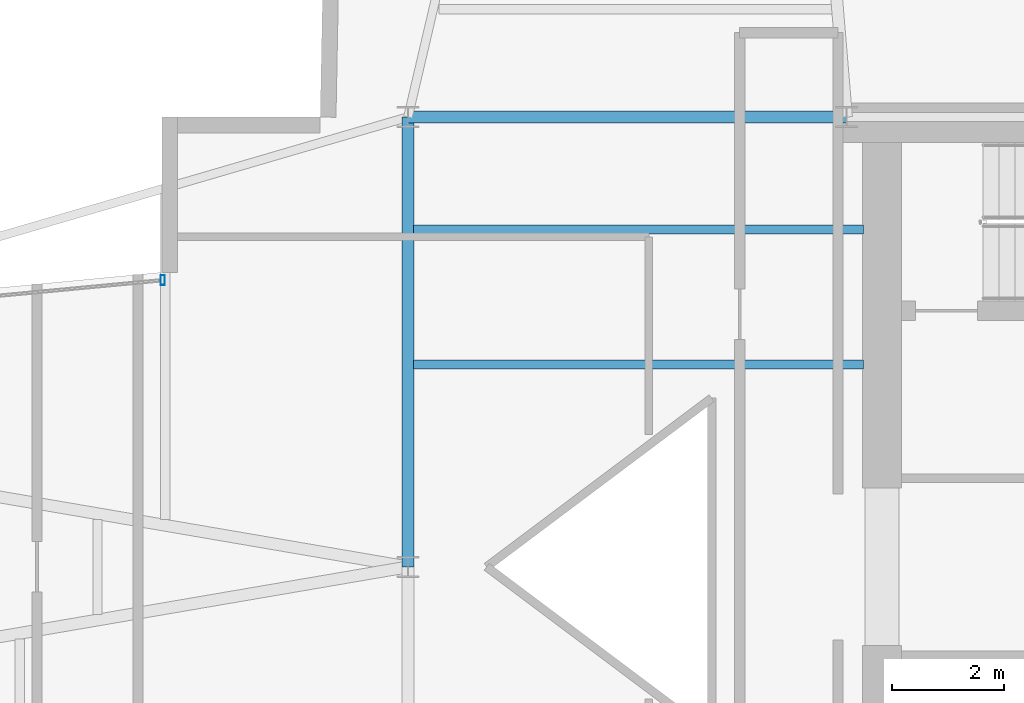
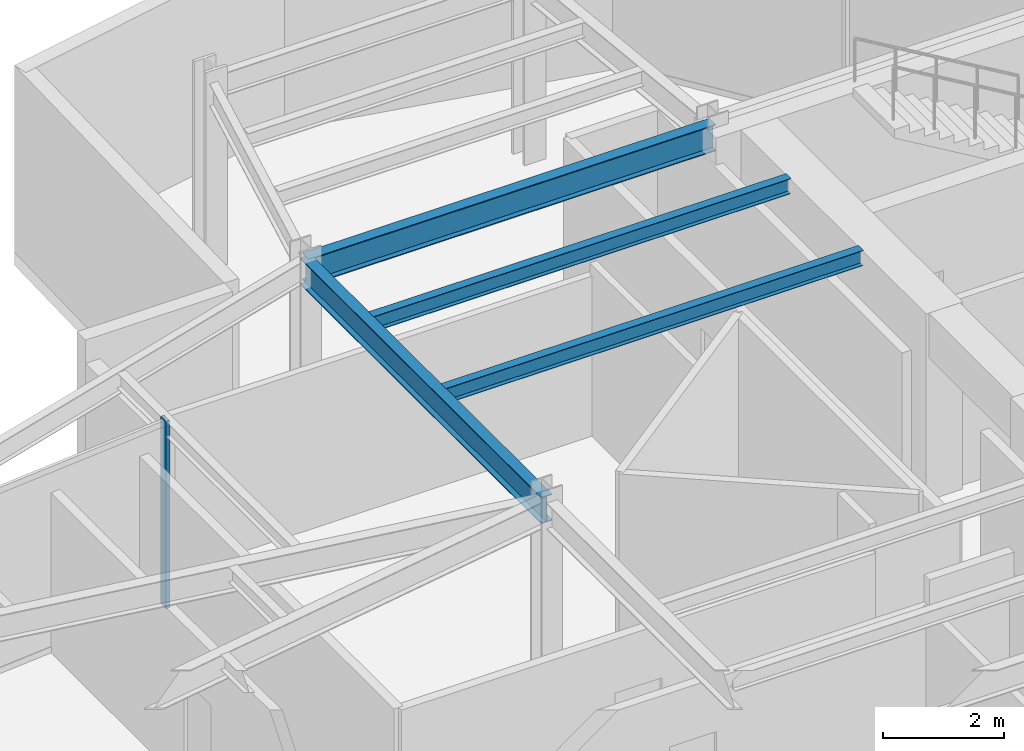
# One storey, part 10 of 21: 4 beams, 1 member, 1 element without a shape of its own.
"""IFC4 building model written with IfcOpenShell, lengths in metres."""

from ifc_helpers import new_model, si_unit, direction, frame, origin, origin_2d, place, context, subcontext, project, spatial, hollow_rectangle, i_section, extrude, material, layer, layer_set, material_profile, profile_set, type_object, element, aggregate, save


model = new_model("IFC4")

# Units and contexts
model_context = context("Model", 3, precision=1e-05, world=origin(), true_north=direction((0.0, 1.0)))
body_context = subcontext(model_context, "Body", "Model", "MODEL_VIEW")
ifc_project = project(units=[si_unit("LENGTHUNIT", "METRE"), si_unit("AREAUNIT", "SQUARE_METRE"), si_unit("VOLUMEUNIT", "CUBIC_METRE"), si_unit("PLANEANGLEUNIT", "RADIAN"), si_unit("MASSUNIT", "GRAM", prefix="KILO")], contexts=[model_context])

# Site, building, storey
site_placement = place(None, origin())
site = spatial("IfcSite", under=ifc_project, at=site_placement, CompositionType="ELEMENT")
building_placement = place(site_placement, origin())
building = spatial("IfcBuilding", under=site, at=building_placement, Name="Veymaron Broadcast Tower", CompositionType="ELEMENT")
storey_placement = place(building_placement, frame((0.0, 0.0, 228.300048828125)))
storey = spatial("IfcBuildingStorey", under=building, at=storey_placement, Name="L53", CompositionType="ELEMENT", Elevation=228.300048828125)

# Beams
ifc_material_1 = material(Name="Structural steel ASTM A992 Gr 50", Category="steel")
ifc_material_profile_1 = material_profile(ifc_material_1, i_section(OverallWidth=0.2099609375, OverallDepth=0.537109375, WebThickness=0.010986328125, FlangeThickness=0.017333984375, at=origin_2d()), Name="W530X101")
ifc_profile_set_1 = profile_set([ifc_material_profile_1], Name="Structural steel ASTM A992 Gr 50")
beam_type_1 = type_object("IfcBeamType", Name="BM-FG3", PredefinedType="BEAM", material=ifc_profile_set_1)
beam_1_placement = place(storey_placement, frame((31.199951171875, 24.0, 3.521484375), z_axis=(0.0, 1.0, 0.0), x_axis=(-1.0, 0.0, 0.0)))
element("IfcBeam", 1, at=beam_1_placement, inside=storey, type_object=beam_type_1, Name="L53 primary structural floor girder", PredefinedType="BEAM", context=body_context, shape_type="SweptSolid", body=[
    extrude(i_section(OverallWidth=0.2099609375, OverallDepth=0.537109375, WebThickness=0.010986328125, FlangeThickness=0.017333984375, at=origin_2d()), origin(), (0.0, 0.0, 1.0), 8.0),
])
beam_2_placement = place(storey_placement, frame((31.199951171875, 32.0, 3.521484375), z_axis=(1.0, 0.0, 0.0), x_axis=(0.0, 1.0, 0.0)))
element("IfcBeam", 2, at=beam_2_placement, inside=storey, type_object=beam_type_1, Name="L53 primary structural floor girder", PredefinedType="BEAM", context=body_context, shape_type="SweptSolid", body=[
    extrude(i_section(OverallWidth=0.2099609375, OverallDepth=0.537109375, WebThickness=0.010986328125, FlangeThickness=0.017333984375, at=origin_2d()), origin(), (0.0, 0.0, 1.0), 7.800048828125),
])
ifc_material_profile_2 = material_profile(ifc_material_1, i_section(OverallWidth=0.1650390625, OverallDepth=0.31005859375, WebThickness=0.005859375, FlangeThickness=0.009765625, at=origin_2d()), Name="W310X39")
ifc_profile_set_2 = profile_set([ifc_material_profile_2], Name="Structural steel ASTM A992 Gr 50")
beam_type_2 = type_object("IfcBeamType", Name="BM-JS3", PredefinedType="JOIST", material=ifc_profile_set_2)
for number, where, z_axis, x_axis, name in (
    (3, (31.300048828125, 27.60009765625, 3.635009765625), (1.0, 0.0, 0.0), (0.0, 1.0, 0.0), "L53 Hub secondary joist 3"),
    (4, (31.300048828125, 30.0, 3.635009765625), (1.0, 0.0, 0.0), (0.0, 1.0, 0.0), "L53 Hub secondary joist 4"),
):
    element("IfcBeam", number, at=place(storey_placement, frame(where, z_axis=z_axis, x_axis=x_axis)), inside=storey, type_object=beam_type_2, Name=name, PredefinedType="JOIST", context=body_context, shape_type="SweptSolid", body=[
        extrude(i_section(OverallWidth=0.1650390625, OverallDepth=0.31005859375, WebThickness=0.005859375, FlangeThickness=0.009765625, at=origin_2d()), origin(), (0.0, 0.0, 1.0), 8.0),
    ])

# Curtain wall, member
ifc_material_2 = material(Name="Anodised aluminium AA 6063-T6 and laminated low-E dark glass", Category="aluminium")
ifc_layer = layer(ifc_material_2, 0.179931640625)
ifc_layer_set = layer_set([ifc_layer], Name="Anodised aluminium AA 6063-T6 and laminated low-E dark glass")
curtain_wall_type = type_object("IfcCurtainWallType", Name="CW-SYS-05", PredefinedType="NOTDEFINED", material=ifc_layer_set)
curtain_wall_placement = place(storey_placement, origin())
curtain_wall = element("IfcCurtainWall", 5, at=curtain_wall_placement, inside=storey, type_object=curtain_wall_type, Name="L53 dark-glass curtain wall CW-L53-E11-1", PredefinedType="NOTDEFINED")
ifc_material_3 = material(Name="Anodised aluminium AA 6063-T6", Category="aluminium")
ifc_material_profile_3 = material_profile(ifc_material_3, hollow_rectangle(XDim=0.074951171875, YDim=0.179931640625, WallThickness=0.0048828125, at=origin_2d()), Name="AL180X75X5")
ifc_profile_set_3 = profile_set([ifc_material_profile_3], Name="Anodised aluminium AA 6063-T6")
member_type = type_object("IfcMemberType", Name="CW-MUL-02", PredefinedType="MULLION", material=ifc_profile_set_3)
member_placement = place(storey_placement, frame((26.837158203125, 29.09912109375, 0.0), z_axis=(0.0, 0.0, 1.0), x_axis=(1.0, 0.0, 0.0)))
member = element("IfcMember", 6, at=member_placement, type_object=member_type, Name="CW-L53-E11-1 mullion 0", PredefinedType="MULLION", context=body_context, shape_type="SweptSolid", body=[
    extrude(hollow_rectangle(XDim=0.074951171875, YDim=0.179931640625, WallThickness=0.0048828125, at=origin_2d()), origin(), (0.0, 0.0, 1.0), 3.7900390625),
])
aggregate(curtain_wall, [member])

save(model, "model.ifc")
